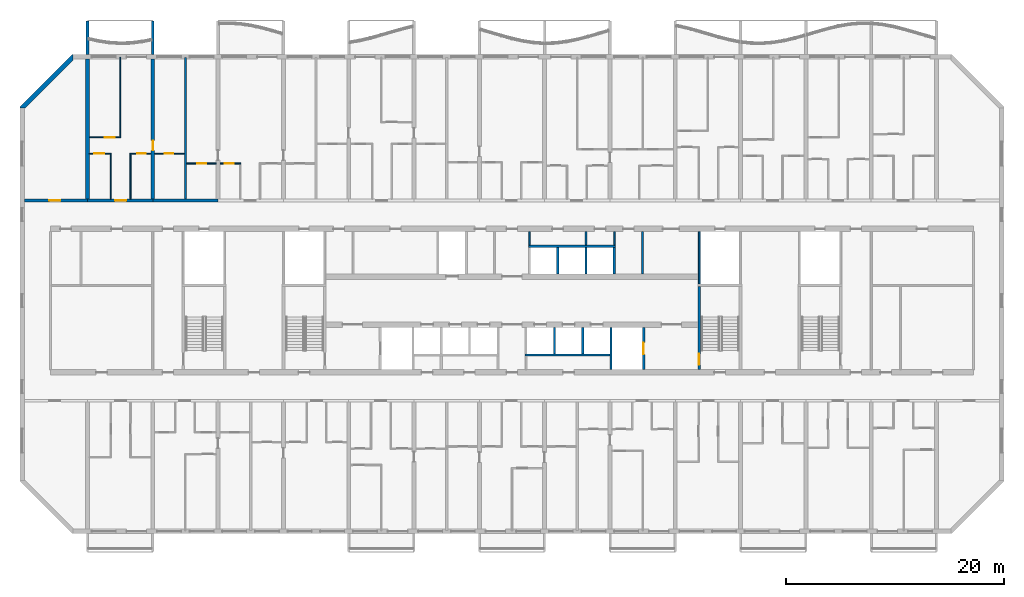
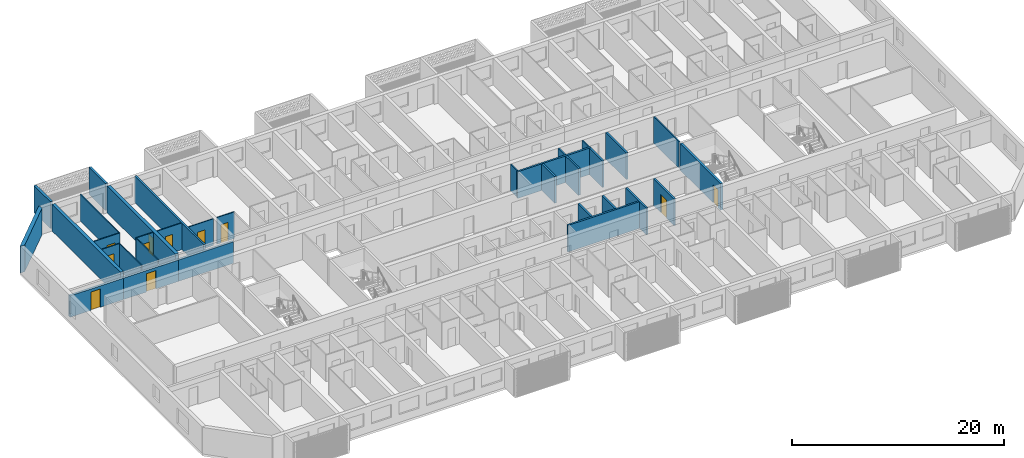
# One storey, part 9 of 26: 33 walls, 11 doors, 11 openings.
"""IFC4 building model written with IfcOpenShell, lengths in metres."""

import ifcopenshell
import ifcopenshell.guid

model = None  # the IFC model being written
_history = None  # IfcOwnerHistory: only IFC2X3 demands one
_inside = {}  # id of a spatial element -> (the spatial element, [elements in it])
_under = {}  # id of a project, library or spatial element -> (it, [spatial elements below it])
_declared = {}  # id of a project -> (the project, [libraries it declares])
_typed = {}  # id of a type object -> (the type object, [elements of that type])
_made_of = {}  # id of a material, layer set ... -> (it, [elements and type objects made of it])


def new_model(schema):
    """Start an empty IFC model of exactly this schema.

    Asked for "IFC4X3", IfcOpenShell would pick the latest addendum, in which some entities
    have other attributes; the version numbers below select the first issue.
    IFC2X3 requires an IfcOwnerHistory on every rooted entity: one is made here for all.
    """
    global model, _history
    if schema == "IFC4X3":
        model = ifcopenshell.file(schema_version=(4, 3, 0, 0))
    else:
        model = ifcopenshell.file(schema=schema)
    _inside.clear()
    _under.clear()
    _declared.clear()
    _typed.clear()
    _made_of.clear()
    _history = None
    if model.schema == "IFC2X3":
        org = make("IfcOrganization", Name="unknown")
        user = make(
            "IfcPersonAndOrganization",
            ThePerson=make("IfcPerson", FamilyName="unknown"),
            TheOrganization=org,
        )
        app = make(
            "IfcApplication",
            ApplicationDeveloper=org,
            Version="unknown",
            ApplicationFullName="unknown",
            ApplicationIdentifier="unknown",
        )
        _history = make(
            "IfcOwnerHistory",
            OwningUser=user,
            OwningApplication=app,
            ChangeAction="ADDED",
            CreationDate=0,
        )
    return model


def make(cls, **values):
    """One entity of the class cls with the attributes given. An attribute that is None is left unset."""
    return model.create_entity(
        cls, **{name: value for name, value in values.items() if value is not None}
    )


def rooted(cls, **values):
    """An entity with a GlobalId (a new one), such as an element, a storey or a relation."""
    return make(cls, GlobalId=ifcopenshell.guid.new(), OwnerHistory=_history, **values)


def si_unit(unit_type, name, prefix=None):
    """IfcSIUnit, for example si_unit("LENGTHUNIT", "METRE", prefix="MILLI")."""
    return make("IfcSIUnit", UnitType=unit_type, Prefix=prefix, Name=name)


def assignment(units):
    """IfcUnitAssignment: the units of a project."""
    return None if units is None else make("IfcUnitAssignment", Units=units)


def point(xyz):
    """IfcCartesianPoint."""
    return None if xyz is None else make("IfcCartesianPoint", Coordinates=xyz)


def direction(xyz):
    """IfcDirection."""
    return None if xyz is None else make("IfcDirection", DirectionRatios=xyz)


def frame(location, z_axis=None, x_axis=None):
    """IfcAxis2Placement3D, a coordinate frame: its origin and axes. An axis left out is left unset."""
    return make(
        "IfcAxis2Placement3D",
        Location=point(location),
        Axis=direction(z_axis),
        RefDirection=direction(x_axis),
    )


def frame_2d(location, x_axis=None):
    """IfcAxis2Placement2D, a coordinate frame in the plane: its origin and x axis."""
    return make(
        "IfcAxis2Placement2D", Location=point(location), RefDirection=direction(x_axis)
    )


def origin():
    """The frame at (0, 0, 0) with its axes left unset."""
    return frame((0.0, 0.0, 0.0))


def place(relative_to, where):
    """IfcLocalPlacement: puts the frame where relative to a parent placement (None: the world)."""
    return make(
        "IfcLocalPlacement", PlacementRelTo=relative_to, RelativePlacement=where
    )


def context(
    kind, dimensions, precision=None, world=None, true_north=None, identifier=None
):
    """IfcGeometricRepresentationContext, for example the 3D "Model" context."""
    return make(
        "IfcGeometricRepresentationContext",
        ContextIdentifier=identifier,
        ContextType=kind,
        CoordinateSpaceDimension=dimensions,
        Precision=precision,
        WorldCoordinateSystem=world,
        TrueNorth=true_north,
    )


def subcontext(parent, identifier, kind, view, scale=None):
    """IfcGeometricRepresentationSubContext, for example "Body" below "Model"."""
    return make(
        "IfcGeometricRepresentationSubContext",
        ContextIdentifier=identifier,
        ContextType=kind,
        ParentContext=parent,
        TargetScale=scale,
        TargetView=view,
    )


def project(units=None, contexts=None):
    """IfcProject with its units and contexts."""
    return rooted(
        "IfcProject",
        Name="project",
        RepresentationContexts=contexts,
        UnitsInContext=assignment(units),
    )


def spatial(cls, under=None, at=None, **own):
    """A site, building, storey or space (cls), placed at a placement, below another one or the project."""
    s = rooted(cls, ObjectPlacement=at, **own)
    if under is not None:
        _under.setdefault(under.id(), (under, []))[1].append(s)
    return s


def polyline(points):
    """IfcPolyline through the points."""
    return make("IfcPolyline", Points=[point(p) for p in points])


def profile(cls, at=None, kind="AREA", **sizes):
    """A parametric profile (cls). Its sizes go by their IFC names, for example OverallWidth=200.0."""
    return make(cls, ProfileType=kind, Position=at, **sizes)


def rectangle(**sizes):
    """IfcRectangleProfileDef."""
    return profile("IfcRectangleProfileDef", **sizes)


def outline(outer, holes=None, kind="AREA"):
    """IfcArbitraryClosedProfileDef: a profile drawn as a closed curve; with holes, ...WithVoids."""
    if holes is None:
        return make("IfcArbitraryClosedProfileDef", ProfileType=kind, OuterCurve=outer)
    return make(
        "IfcArbitraryProfileDefWithVoids",
        ProfileType=kind,
        OuterCurve=outer,
        InnerCurves=holes,
    )


def extrude(swept, where, along, depth):
    """IfcExtrudedAreaSolid: the profile swept, set in the frame where, extruded along a direction by depth."""
    return make(
        "IfcExtrudedAreaSolid",
        SweptArea=swept,
        Position=where,
        ExtrudedDirection=direction(along),
        Depth=depth,
    )


def shape(context_of_items, identifier, shape_type, items):
    """IfcShapeRepresentation: the items that make up one representation, for example the "Body"."""
    return make(
        "IfcShapeRepresentation",
        ContextOfItems=context_of_items,
        RepresentationIdentifier=identifier,
        RepresentationType=shape_type,
        Items=items,
    )


def source(mapping_origin, context_of_items, identifier, shape_type, items):
    """IfcRepresentationMap: a shape defined once, which mapped items show again and again."""
    return make(
        "IfcRepresentationMap",
        MappingOrigin=mapping_origin,
        MappedRepresentation=shape(context_of_items, identifier, shape_type, items),
    )


def transform(
    local_origin,
    x_axis=None,
    y_axis=None,
    z_axis=None,
    scale=None,
    scale2=None,
    scale3=None,
    uniform=True,
):
    """IfcCartesianTransformationOperator3D, or its non-uniform kind. x_axis, y_axis, z_axis: its Axis1, 2, 3."""
    if uniform:
        return make(
            "IfcCartesianTransformationOperator3D",
            Axis1=direction(x_axis),
            Axis2=direction(y_axis),
            LocalOrigin=point(local_origin),
            Scale=scale,
            Axis3=direction(z_axis),
        )
    return make(
        "IfcCartesianTransformationOperator3DnonUniform",
        Axis1=direction(x_axis),
        Axis2=direction(y_axis),
        LocalOrigin=point(local_origin),
        Scale=scale,
        Axis3=direction(z_axis),
        Scale2=scale2,
        Scale3=scale3,
    )


def mapped(mapping_source, mapping_target):
    """IfcMappedItem: shows the shape of a source again, moved by a transform."""
    return make(
        "IfcMappedItem", MappingSource=mapping_source, MappingTarget=mapping_target
    )


def material(Name=None, Category=None):
    """IfcMaterial."""
    return make("IfcMaterial", Name=Name, Category=Category)


def layer(
    of_material, thickness, ventilated=None, Name=None, Category=None, Priority=None
):
    """IfcMaterialLayer: one layer of a wall or slab, of a material (None: an air gap)."""
    return make(
        "IfcMaterialLayer",
        Material=of_material,
        LayerThickness=thickness,
        IsVentilated=ventilated,
        Name=Name,
        Category=Category,
        Priority=Priority,
    )


def layer_set(layers, Name=None):
    """IfcMaterialLayerSet."""
    return make("IfcMaterialLayerSet", MaterialLayers=layers, LayerSetName=Name)


def made_of(thing, what):
    """Note that an element or type object is made of a material, layer set ...; save() writes the relation."""
    if what is not None:
        _made_of.setdefault(what.id(), (what, []))[1].append(thing)
    return thing


def type_object(cls, material=None, **own):
    """A type object (cls), such as IfcWallType, which elements share."""
    return made_of(rooted(cls, **own), material)


def element(
    cls,
    number,
    at=None,
    inside=None,
    cuts=None,
    type_object=None,
    material=None,
    context=None,
    identifier="Body",
    shape_type=None,
    held_by="IfcProductDefinitionShape",
    body=None,
    shapes=None,
    **own,
):
    """One element of the class cls, such as IfcWall. Its Tag is "e" and its number.

    at: its placement. inside: the storey or other place that contains it. cuts: it is an
    opening in that element (IfcRelVoidsElement). A single representation is given by context,
    identifier, shape_type and body (its items); several are given by shapes. held_by: the class
    of the entity that holds the representations. save() writes the other relations.
    """
    e = rooted(cls, Tag="e%d" % number, ObjectPlacement=at, **own)
    if body is not None:
        shapes = [shape(context, identifier, shape_type, body)]
    if shapes is not None:
        e.Representation = make(held_by, Representations=shapes)
    if inside is not None:
        _inside.setdefault(inside.id(), (inside, []))[1].append(e)
    if cuts is not None:
        rooted(
            "IfcRelVoidsElement", RelatingBuildingElement=cuts, RelatedOpeningElement=e
        )
    if type_object is not None:
        _typed.setdefault(type_object.id(), (type_object, []))[1].append(e)
    return made_of(e, material)


def fill(opening, filler):
    """IfcRelFillsElement: the door or window that sits in an opening."""
    return rooted(
        "IfcRelFillsElement",
        RelatingOpeningElement=opening,
        RelatedBuildingElement=filler,
    )


def aggregate(whole, parts):
    """IfcRelAggregates: a whole, such as a stair, and the parts it consists of."""
    return rooted("IfcRelAggregates", RelatingObject=whole, RelatedObjects=parts)


def save(model, path):
    """Write the relations noted so far, then the file.

    IfcRelAggregates (storeys below a building ...), IfcRelContainedInSpatialStructure (elements
    in a storey), IfcRelDefinesByType, IfcRelAssociatesMaterial and IfcRelDeclares: one each for
    every whole, place, type object, material and project.
    """
    for whole, parts in _under.values():
        aggregate(whole, parts)
    for where, things in _inside.values():
        rooted(
            "IfcRelContainedInSpatialStructure",
            RelatedElements=things,
            RelatingStructure=where,
        )
    for kind, things in _typed.values():
        rooted("IfcRelDefinesByType", RelatedObjects=things, RelatingType=kind)
    for what, things in _made_of.values():
        rooted("IfcRelAssociatesMaterial", RelatedObjects=things, RelatingMaterial=what)
    for by, libraries in _declared.values():
        rooted("IfcRelDeclares", RelatingContext=by, RelatedDefinitions=libraries)
    model.write(path)


model = new_model("IFC4")

# Units and contexts
model_context = context("Model", 3, precision=1e-05, world=origin(), true_north=direction((0.0, 1.0)))
body_context = subcontext(model_context, "Body", "Model", "MODEL_VIEW")
ifc_project = project(units=[si_unit("LENGTHUNIT", "METRE"), si_unit("AREAUNIT", "SQUARE_METRE"), si_unit("VOLUMEUNIT", "CUBIC_METRE"), si_unit("PLANEANGLEUNIT", "RADIAN"), si_unit("MASSUNIT", "GRAM", prefix="KILO")], contexts=[model_context])

# Site, building, storey
site_placement = place(None, origin())
site = spatial("IfcSite", under=ifc_project, at=site_placement, CompositionType="ELEMENT")
building_placement = place(site_placement, origin())
building = spatial("IfcBuilding", under=site, at=building_placement, Name="Poui Terraces", CompositionType="ELEMENT")
storey_placement = place(building_placement, frame((0.0, 0.0, 96.0)))
storey = spatial("IfcBuildingStorey", under=building, at=storey_placement, Name="L26", CompositionType="ELEMENT", Elevation=96.0)

# Wall
ifc_material_1 = material(Name="Fire-rated plasterboard wall")
ifc_layer_1 = layer(ifc_material_1, 0.14990234375)
ifc_layer_set_1 = layer_set([ifc_layer_1], Name="Fire-rated plasterboard wall")
wall_type_1 = type_object("IfcWallType", Name="CORRIDOR WALL 150", PredefinedType="PARTITIONING", material=ifc_layer_set_1)
wall_1_placement = place(storey_placement, frame((52.60009765625, 26.300048828125, 0.0), z_axis=(0.0, 0.0, 1.0), x_axis=(0.0, 1.0, 0.0)))
element("IfcWall", 1, at=wall_1_placement, inside=storey, type_object=wall_type_1, Name="CORRIDOR WALL 150", PredefinedType="PARTITIONING", context=body_context, shape_type="SweptSolid", body=[
    extrude(rectangle(XDim=1.239990234375, YDim=0.14990234375, at=frame_2d((0.6201171875, 0.0))), origin(), (0.0, 0.0, 1.0), 3.06005859375),
])

# Wall, opening, door
ifc_material_2 = material(Name="Concrete 65 MPa", Category="concrete")
ifc_layer_2 = layer(ifc_material_2, 0.25)
ifc_layer_set_2 = layer_set([ifc_layer_2], Name="Concrete 65 MPa")
wall_type_2 = type_object("IfcWallType", Name="CORRIDOR WALL 250 65MPa", PredefinedType="SHEAR", material=ifc_layer_set_2)
wall_2_placement = place(storey_placement, frame((6.199951171875, 30.39990234375, 0.0), z_axis=(0.0, 0.0, 1.0), x_axis=(1.0, 0.0, 0.0)))
wall_2 = element("IfcWall", 2, at=wall_2_placement, inside=storey, type_object=wall_type_2, Name="CORRIDOR WALL LINE E BAY 1", PredefinedType="SHEAR", context=body_context, shape_type="SweptSolid", body=[
    extrude(rectangle(XDim=5.800048828125, YDim=0.25, at=frame_2d((2.89990234375, 0.0))), origin(), (0.0, 0.0, 1.0), 2.4599609375),
])
opening_1_placement = place(wall_2_placement, frame((2.300048828125, 0.0, 0.0)))
opening_1 = element("IfcOpeningElement", 3, at=opening_1_placement, cuts=wall_2, Name="Opening D100", PredefinedType="OPENING", context=body_context, shape_type="SweptSolid", body=[
    extrude(rectangle(XDim=1.0, YDim=2.10009765625, at=frame_2d((0.5, 1.050048828125))), frame((0.0, 0.135009765625, 0.0), z_axis=(0.0, -1.0, 0.0), x_axis=(1.0, 0.0, 0.0)), (0.0, 0.0, 1.0), 0.27001953125),
])
ifc_material_3 = material(Name="Solid core timber door", Category="wood")
door_type_1 = type_object("IfcDoorType", Name="ACCESSIBLE INTERNAL DOOR 1000 X 2100", OperationType="NOTDEFINED", PredefinedType="DOOR", material=ifc_material_3)
door_1_placement = place(opening_1_placement, origin())
door_1 = element("IfcDoor", 4, at=door_1_placement, inside=storey, type_object=door_type_1, Name="ACCESSIBLE INTERNAL DOOR 031", OperationType="SINGLE_SWING_LEFT", OverallHeight=2.10009765625, OverallWidth=1.0, PredefinedType="DOOR", context=body_context, shape_type="SweptSolid", body=[
    extrude(rectangle(XDim=1.0, YDim=2.10009765625, at=frame_2d((0.5, 1.050048828125))), frame((0.0, 0.02490234375, 0.0), z_axis=(0.0, -1.0, 0.0), x_axis=(1.0, 0.0, 0.0)), (0.0, 0.0, 1.0), 0.050048828125),
])
fill(opening_1, door_1)

wall_3_placement = place(storey_placement, frame((12.0, 30.39990234375, 0.0), z_axis=(0.0, 0.0, 1.0), x_axis=(1.0, 0.0, 0.0)))
wall_3 = element("IfcWall", 5, at=wall_3_placement, inside=storey, type_object=wall_type_2, Name="CORRIDOR WALL LINE E BAY 2", PredefinedType="SHEAR", context=body_context, shape_type="SweptSolid", body=[
    extrude(rectangle(XDim=6.0, YDim=0.25, at=frame_2d((3.0, 0.0))), origin(), (0.0, 0.0, 1.0), 2.4599609375),
])
opening_2_placement = place(wall_3_placement, frame((2.550048828125, 0.0, 0.0)))
opening_2 = element("IfcOpeningElement", 6, at=opening_2_placement, cuts=wall_3, Name="Opening FD30S", PredefinedType="OPENING", context=body_context, shape_type="SweptSolid", body=[
    extrude(rectangle(XDim=1.0, YDim=2.10009765625, at=frame_2d((0.5, 1.050048828125))), frame((0.0, 0.135009765625, 0.0), z_axis=(0.0, -1.0, 0.0), x_axis=(1.0, 0.0, 0.0)), (0.0, 0.0, 1.0), 0.27001953125),
])
ifc_material_4 = material(Name="Steel fire door", Category="steel")
door_type_2 = type_object("IfcDoorType", Name="FLAT ENTRANCE DOOR 1000 X 2100", OperationType="NOTDEFINED", PredefinedType="DOOR", material=ifc_material_4)
door_2_placement = place(opening_2_placement, origin())
door_2 = element("IfcDoor", 7, at=door_2_placement, inside=storey, type_object=door_type_2, Name="FLAT ENTRANCE DOOR 035", OperationType="SINGLE_SWING_RIGHT", OverallHeight=2.10009765625, OverallWidth=1.0, PredefinedType="DOOR", context=body_context, shape_type="SweptSolid", body=[
    extrude(rectangle(XDim=1.0, YDim=2.10009765625, at=frame_2d((0.5, 1.050048828125))), frame((0.0, 0.02490234375, 0.0), z_axis=(0.0, -1.0, 0.0), x_axis=(1.0, 0.0, 0.0)), (0.0, 0.0, 1.0), 0.050048828125),
])
fill(opening_2, door_2)

# Walls
wall_4_placement = place(storey_placement, frame((18.0, 30.39990234375, 0.0), z_axis=(0.0, 0.0, 1.0), x_axis=(1.0, 0.0, 0.0)))
element("IfcWall", 8, at=wall_4_placement, inside=storey, type_object=wall_type_2, Name="CORRIDOR WALL LINE E BAY 3", PredefinedType="SHEAR", context=body_context, shape_type="SweptSolid", body=[
    extrude(rectangle(XDim=6.0, YDim=0.25, at=frame_2d((3.0, 0.0))), origin(), (0.0, 0.0, 1.0), 2.4599609375),
])
ifc_layer_3 = layer(ifc_material_2, 0.35009765625)
ifc_layer_set_3 = layer_set([ifc_layer_3], Name="Concrete 65 MPa")
wall_type_3 = type_object("IfcWallType", Name="CROSS WALL 350 65MPa", PredefinedType="SHEAR", material=ifc_layer_set_3)
wall_5_placement = place(storey_placement, frame((12.0, 30.52490234375, 0.0), z_axis=(0.0, 0.0, 1.0), x_axis=(0.0, 1.0, 0.0)))
element("IfcWall", 9, at=wall_5_placement, inside=storey, type_object=wall_type_3, Name="CROSS WALL LINE 3 NORTH", PredefinedType="SHEAR", context=body_context, shape_type="SweptSolid", body=[
    extrude(rectangle(XDim=12.875, YDim=0.35009765625, at=frame_2d((6.4375, 0.0))), origin(), (0.0, 0.0, 1.0), 3.06005859375),
])

# Wall, opening, door
wall_6_placement = place(storey_placement, frame((18.0, 30.52490234375, 0.0), z_axis=(0.0, 0.0, 1.0), x_axis=(0.0, 1.0, 0.0)))
wall_6 = element("IfcWall", 10, at=wall_6_placement, inside=storey, type_object=wall_type_3, Name="CROSS WALL LINE 4 NORTH", PredefinedType="SHEAR", context=body_context, shape_type="SweptSolid", body=[
    extrude(rectangle(XDim=12.875, YDim=0.35009765625, at=frame_2d((6.4375, 0.0))), origin(), (0.0, 0.0, 1.0), 3.06005859375),
])
opening_3_placement = place(wall_6_placement, frame((4.47509765625, 0.0, 0.0)))
opening_3 = element("IfcOpeningElement", 11, at=opening_3_placement, cuts=wall_6, Name="Opening D90", PredefinedType="OPENING", context=body_context, shape_type="SweptSolid", body=[
    extrude(rectangle(XDim=0.89990234375, YDim=2.10009765625, at=frame_2d((0.449951171875, 1.050048828125))), frame((0.0, 0.18505859375, 0.0), z_axis=(0.0, -1.0, 0.0), x_axis=(1.0, 0.0, 0.0)), (0.0, 0.0, 1.0), 0.3701171875),
])
door_type_3 = type_object("IfcDoorType", Name="INTERNAL DOOR 900 X 2100", OperationType="NOTDEFINED", PredefinedType="DOOR", material=ifc_material_3)
door_3_placement = place(opening_3_placement, frame((0.89990234375, 0.0, 0.0), z_axis=(0.0, 0.0, 1.0), x_axis=(-1.0, 0.0, 0.0)))
door_3 = element("IfcDoor", 12, at=door_3_placement, inside=storey, type_object=door_type_3, Name="INTERNAL DOOR 037", OperationType="SINGLE_SWING_RIGHT", OverallHeight=2.10009765625, OverallWidth=0.89990234375, PredefinedType="DOOR", context=body_context, shape_type="SweptSolid", body=[
    extrude(rectangle(XDim=0.89990234375, YDim=2.10009765625, at=frame_2d((0.449951171875, 1.050048828125))), frame((0.0, 0.02490234375, 0.0), z_axis=(0.0, -1.0, 0.0), x_axis=(1.0, 0.0, 0.0)), (0.0, 0.0, 1.0), 0.050048828125),
])
fill(opening_3, door_3)

ifc_material_5 = material(Name="Plasterboard partition")
ifc_layer_4 = layer(ifc_material_5, 0.10009765625)
ifc_layer_set_4 = layer_set([ifc_layer_4], Name="Plasterboard partition")
wall_type_4 = type_object("IfcWallType", Name="FLAT PARTITION 100", PredefinedType="PARTITIONING", material=ifc_layer_set_4)
wall_7_placement = place(storey_placement, frame((21.10009765625, 33.800048828125, 0.0), z_axis=(0.0, 0.0, 1.0), x_axis=(1.0, 0.0, 0.0)))
wall_7 = element("IfcWall", 13, at=wall_7_placement, inside=storey, type_object=wall_type_4, Name="FLAT PARTITION 100", PredefinedType="PARTITIONING", context=body_context, shape_type="SweptSolid", body=[
    extrude(rectangle(XDim=2.71484375, YDim=0.10009765625, at=frame_2d((1.357421875, 0.0))), origin(), (0.0, 0.0, 1.0), 3.06005859375),
])
opening_4_placement = place(wall_7_placement, frame((1.0, 0.0, 0.0)))
opening_4 = element("IfcOpeningElement", 14, at=opening_4_placement, cuts=wall_7, Name="Opening D80", PredefinedType="OPENING", context=body_context, shape_type="SweptSolid", body=[
    extrude(rectangle(XDim=0.800048828125, YDim=2.10009765625, at=frame_2d((0.39990234375, 1.050048828125))), frame((0.0, 0.06005859375, 0.0), z_axis=(0.0, -1.0, 0.0), x_axis=(1.0, 0.0, 0.0)), (0.0, 0.0, 1.0), 0.1201171875),
])
door_type_4 = type_object("IfcDoorType", Name="BATHROOM, LAUNDRY AND STORE DOOR 800 X 2100", OperationType="NOTDEFINED", PredefinedType="DOOR", material=ifc_material_3)
door_4_placement = place(opening_4_placement, frame((0.800048828125, 0.0, 0.0), z_axis=(0.0, 0.0, 1.0), x_axis=(-1.0, 0.0, 0.0)))
door_4 = element("IfcDoor", 15, at=door_4_placement, inside=storey, type_object=door_type_4, Name="BATHROOM, LAUNDRY AND STORE DOOR 038", OperationType="SINGLE_SWING_RIGHT", OverallHeight=2.10009765625, OverallWidth=0.800048828125, PredefinedType="DOOR", context=body_context, shape_type="SweptSolid", body=[
    extrude(rectangle(XDim=0.800048828125, YDim=2.10009765625, at=frame_2d((0.39990234375, 1.050048828125))), frame((0.0, 0.02490234375, 0.0), z_axis=(0.0, -1.0, 0.0), x_axis=(1.0, 0.0, 0.0)), (0.0, 0.0, 1.0), 0.050048828125),
])
fill(opening_4, door_4)

wall_8_placement = place(storey_placement, frame((24.18505859375, 33.800048828125, 0.0), z_axis=(0.0, 0.0, 1.0), x_axis=(1.0, 0.0, 0.0)))
wall_8 = element("IfcWall", 16, at=wall_8_placement, inside=storey, type_object=wall_type_4, Name="FLAT PARTITION 100", PredefinedType="PARTITIONING", context=body_context, shape_type="SweptSolid", body=[
    extrude(rectangle(XDim=1.9150390625, YDim=0.10009765625, at=frame_2d((0.95751953125, 0.0))), origin(), (0.0, 0.0, 1.0), 3.06005859375),
])
opening_5_placement = place(wall_8_placement, frame((0.43994140625, 0.0, 0.0)))
opening_5 = element("IfcOpeningElement", 17, at=opening_5_placement, cuts=wall_8, Name="Opening D80", PredefinedType="OPENING", context=body_context, shape_type="SweptSolid", body=[
    extrude(rectangle(XDim=0.800048828125, YDim=2.10009765625, at=frame_2d((0.39990234375, 1.050048828125))), frame((0.0, 0.06005859375, 0.0), z_axis=(0.0, -1.0, 0.0), x_axis=(1.0, 0.0, 0.0)), (0.0, 0.0, 1.0), 0.1201171875),
])
door_5_placement = place(opening_5_placement, frame((0.800048828125, 0.0, 0.0), z_axis=(0.0, 0.0, 1.0), x_axis=(-1.0, 0.0, 0.0)))
door_5 = element("IfcDoor", 18, at=door_5_placement, inside=storey, type_object=door_type_4, Name="BATHROOM, LAUNDRY AND STORE DOOR 041", OperationType="SINGLE_SWING_LEFT", OverallHeight=2.10009765625, OverallWidth=0.800048828125, PredefinedType="DOOR", context=body_context, shape_type="SweptSolid", body=[
    extrude(rectangle(XDim=0.800048828125, YDim=2.10009765625, at=frame_2d((0.39990234375, 1.050048828125))), frame((0.0, 0.02490234375, 0.0), z_axis=(0.0, -1.0, 0.0), x_axis=(1.0, 0.0, 0.0)), (0.0, 0.0, 1.0), 0.050048828125),
])
fill(opening_5, door_5)

wall_9_placement = place(storey_placement, frame((12.18505859375, 34.699951171875, 0.0), z_axis=(0.0, 0.0, 1.0), x_axis=(1.0, 0.0, 0.0)))
wall_9 = element("IfcWall", 19, at=wall_9_placement, inside=storey, type_object=wall_type_4, Name="FLAT PARTITION 100", PredefinedType="PARTITIONING", context=body_context, shape_type="SweptSolid", body=[
    extrude(rectangle(XDim=2.014892578125, YDim=0.10009765625, at=frame_2d((1.00732421875, 0.0))), origin(), (0.0, 0.0, 1.0), 3.06005859375),
])
opening_6_placement = place(wall_9_placement, frame((0.43994140625, 0.0, 0.0)))
opening_6 = element("IfcOpeningElement", 20, at=opening_6_placement, cuts=wall_9, Name="Opening D90", PredefinedType="OPENING", context=body_context, shape_type="SweptSolid", body=[
    extrude(rectangle(XDim=0.89990234375, YDim=2.10009765625, at=frame_2d((0.449951171875, 1.050048828125))), frame((0.0, 0.06005859375, 0.0), z_axis=(0.0, -1.0, 0.0), x_axis=(1.0, 0.0, 0.0)), (0.0, 0.0, 1.0), 0.1201171875),
])
door_6_placement = place(opening_6_placement, frame((0.89990234375, 0.0, 0.0), z_axis=(0.0, 0.0, 1.0), x_axis=(-1.0, 0.0, 0.0)))
door_6 = element("IfcDoor", 21, at=door_6_placement, inside=storey, type_object=door_type_3, Name="INTERNAL DOOR 033", OperationType="SINGLE_SWING_LEFT", OverallHeight=2.10009765625, OverallWidth=0.89990234375, PredefinedType="DOOR", context=body_context, shape_type="SweptSolid", body=[
    extrude(rectangle(XDim=0.89990234375, YDim=2.10009765625, at=frame_2d((0.449951171875, 1.050048828125))), frame((0.0, 0.02490234375, 0.0), z_axis=(0.0, -1.0, 0.0), x_axis=(1.0, 0.0, 0.0)), (0.0, 0.0, 1.0), 0.050048828125),
])
fill(opening_6, door_6)

wall_10_placement = place(storey_placement, frame((15.89990234375, 34.699951171875, 0.0), z_axis=(0.0, 0.0, 1.0), x_axis=(1.0, 0.0, 0.0)))
wall_10 = element("IfcWall", 22, at=wall_10_placement, inside=storey, type_object=wall_type_4, Name="FLAT PARTITION 100", PredefinedType="PARTITIONING", context=body_context, shape_type="SweptSolid", body=[
    extrude(rectangle(XDim=1.9150390625, YDim=0.10009765625, at=frame_2d((0.95751953125, 0.0))), origin(), (0.0, 0.0, 1.0), 3.06005859375),
])
opening_7_placement = place(wall_10_placement, frame((0.675048828125, 0.0, 0.0)))
opening_7 = element("IfcOpeningElement", 23, at=opening_7_placement, cuts=wall_10, Name="Opening D80", PredefinedType="OPENING", context=body_context, shape_type="SweptSolid", body=[
    extrude(rectangle(XDim=0.800048828125, YDim=2.10009765625, at=frame_2d((0.39990234375, 1.050048828125))), frame((0.0, 0.06005859375, 0.0), z_axis=(0.0, -1.0, 0.0), x_axis=(1.0, 0.0, 0.0)), (0.0, 0.0, 1.0), 0.1201171875),
])
door_7_placement = place(opening_7_placement, frame((0.800048828125, 0.0, 0.0), z_axis=(0.0, 0.0, 1.0), x_axis=(-1.0, 0.0, 0.0)))
door_7 = element("IfcDoor", 24, at=door_7_placement, inside=storey, type_object=door_type_4, Name="BATHROOM, LAUNDRY AND STORE DOOR 036", OperationType="SINGLE_SWING_RIGHT", OverallHeight=2.10009765625, OverallWidth=0.800048828125, PredefinedType="DOOR", context=body_context, shape_type="SweptSolid", body=[
    extrude(rectangle(XDim=0.800048828125, YDim=2.10009765625, at=frame_2d((0.39990234375, 1.050048828125))), frame((0.0, 0.02490234375, 0.0), z_axis=(0.0, -1.0, 0.0), x_axis=(1.0, 0.0, 0.0)), (0.0, 0.0, 1.0), 0.050048828125),
])
fill(opening_7, door_7)

wall_11_placement = place(storey_placement, frame((18.18505859375, 34.699951171875, 0.0), z_axis=(0.0, 0.0, 1.0), x_axis=(1.0, 0.0, 0.0)))
wall_11 = element("IfcWall", 25, at=wall_11_placement, inside=storey, type_object=wall_type_4, Name="FLAT PARTITION 100", PredefinedType="PARTITIONING", context=body_context, shape_type="SweptSolid", body=[
    extrude(rectangle(XDim=2.71484375, YDim=0.10009765625, at=frame_2d((1.357421875, 0.0))), origin(), (0.0, 0.0, 1.0), 3.06005859375),
])
opening_8_placement = place(wall_11_placement, frame((0.9150390625, 0.0, 0.0)))
opening_8 = element("IfcOpeningElement", 26, at=opening_8_placement, cuts=wall_11, Name="Opening D80", PredefinedType="OPENING", context=body_context, shape_type="SweptSolid", body=[
    extrude(rectangle(XDim=0.800048828125, YDim=2.10009765625, at=frame_2d((0.39990234375, 1.050048828125))), frame((0.0, 0.06005859375, 0.0), z_axis=(0.0, -1.0, 0.0), x_axis=(1.0, 0.0, 0.0)), (0.0, 0.0, 1.0), 0.1201171875),
])
door_8_placement = place(opening_8_placement, frame((0.800048828125, 0.0, 0.0), z_axis=(0.0, 0.0, 1.0), x_axis=(-1.0, 0.0, 0.0)))
door_8 = element("IfcDoor", 27, at=door_8_placement, inside=storey, type_object=door_type_4, Name="BATHROOM, LAUNDRY AND STORE DOOR 032", OperationType="SINGLE_SWING_LEFT", OverallHeight=2.10009765625, OverallWidth=0.800048828125, PredefinedType="DOOR", context=body_context, shape_type="SweptSolid", body=[
    extrude(rectangle(XDim=0.800048828125, YDim=2.10009765625, at=frame_2d((0.39990234375, 1.050048828125))), frame((0.0, 0.02490234375, 0.0), z_axis=(0.0, -1.0, 0.0), x_axis=(1.0, 0.0, 0.0)), (0.0, 0.0, 1.0), 0.050048828125),
])
fill(opening_8, door_8)

wall_12_placement = place(storey_placement, frame((12.18505859375, 36.199951171875, 0.0), z_axis=(0.0, 0.0, 1.0), x_axis=(1.0, 0.0, 0.0)))
wall_12 = element("IfcWall", 28, at=wall_12_placement, inside=storey, type_object=wall_type_4, Name="FLAT PARTITION 100", PredefinedType="PARTITIONING", context=body_context, shape_type="SweptSolid", body=[
    extrude(rectangle(XDim=2.864990234375, YDim=0.10009765625, at=frame_2d((1.4326171875, 0.0))), origin(), (0.0, 0.0, 1.0), 3.06005859375),
])
opening_9_placement = place(wall_12_placement, frame((1.4150390625, 0.0, 0.0)))
opening_9 = element("IfcOpeningElement", 29, at=opening_9_placement, cuts=wall_12, Name="Opening D90", PredefinedType="OPENING", context=body_context, shape_type="SweptSolid", body=[
    extrude(rectangle(XDim=0.89990234375, YDim=2.10009765625, at=frame_2d((0.449951171875, 1.050048828125))), frame((0.0, 0.06005859375, 0.0), z_axis=(0.0, -1.0, 0.0), x_axis=(1.0, 0.0, 0.0)), (0.0, 0.0, 1.0), 0.1201171875),
])
door_9_placement = place(opening_9_placement, frame((0.89990234375, 0.0, 0.0), z_axis=(0.0, 0.0, 1.0), x_axis=(-1.0, 0.0, 0.0)))
door_9 = element("IfcDoor", 30, at=door_9_placement, inside=storey, type_object=door_type_3, Name="INTERNAL DOOR 034", OperationType="SINGLE_SWING_RIGHT", OverallHeight=2.10009765625, OverallWidth=0.89990234375, PredefinedType="DOOR", context=body_context, shape_type="SweptSolid", body=[
    extrude(rectangle(XDim=0.89990234375, YDim=2.10009765625, at=frame_2d((0.449951171875, 1.050048828125))), frame((0.0, 0.02490234375, 0.0), z_axis=(0.0, -1.0, 0.0), x_axis=(1.0, 0.0, 0.0)), (0.0, 0.0, 1.0), 0.050048828125),
])
fill(opening_9, door_9)

# Walls
wall_13_placement = place(storey_placement, frame((14.14990234375, 30.534912109375, 0.0), z_axis=(0.0, 0.0, 1.0), x_axis=(0.0, 1.0, 0.0)))
element("IfcWall", 31, at=wall_13_placement, inside=storey, type_object=wall_type_4, Name="FLAT PARTITION 100", PredefinedType="PARTITIONING", context=body_context, shape_type="SweptSolid", body=[
    extrude(rectangle(XDim=4.114990234375, YDim=0.10009765625, at=frame_2d((2.0576171875, 0.0))), origin(), (0.0, 0.0, 1.0), 3.06005859375),
])
wall_14_placement = place(storey_placement, frame((15.0, 36.25, 0.0), z_axis=(0.0, 0.0, 1.0), x_axis=(0.0, 1.0, 0.0)))
element("IfcWall", 32, at=wall_14_placement, inside=storey, type_object=wall_type_4, Name="FLAT PARTITION 100", PredefinedType="PARTITIONING", context=body_context, shape_type="SweptSolid", body=[
    extrude(rectangle(XDim=7.2900390625, YDim=0.10009765625, at=frame_2d((3.64501953125, 0.0))), origin(), (0.0, 0.0, 1.0), 3.06005859375),
])
wall_15_placement = place(storey_placement, frame((15.949951171875, 30.534912109375, 0.0), z_axis=(0.0, 0.0, 1.0), x_axis=(0.0, 1.0, 0.0)))
element("IfcWall", 33, at=wall_15_placement, inside=storey, type_object=wall_type_4, Name="FLAT PARTITION 100", PredefinedType="PARTITIONING", context=body_context, shape_type="SweptSolid", body=[
    extrude(rectangle(XDim=4.114990234375, YDim=0.10009765625, at=frame_2d((2.0576171875, 0.0))), origin(), (0.0, 0.0, 1.0), 3.06005859375),
])
ifc_material_6 = material(Name="Fire-rated masonry wall", Category="masonry")
ifc_layer_5 = layer(ifc_material_6, 0.199951171875)
ifc_layer_set_5 = layer_set([ifc_layer_5], Name="Fire-rated masonry wall")
wall_type_5 = type_object("IfcWallType", Name="FLAT PARTY WALL 200", PredefinedType="PARTITIONING", material=ifc_layer_set_5)
wall_16_placement = place(storey_placement, frame((21.0, 30.534912109375, 0.0), z_axis=(0.0, 0.0, 1.0), x_axis=(0.0, 1.0, 0.0)))
element("IfcWall", 34, at=wall_16_placement, inside=storey, type_object=wall_type_5, Name="FLAT PARTY WALL 200", PredefinedType="PARTITIONING", context=body_context, shape_type="SweptSolid", body=[
    extrude(rectangle(XDim=13.005126953125, YDim=0.199951171875, at=frame_2d((6.50244140625, 0.0))), origin(), (0.0, 0.0, 1.0), 3.06005859375),
])
ifc_layer_6 = layer(ifc_material_5, 0.14990234375)
ifc_layer_set_6 = layer_set([ifc_layer_6], Name="Plasterboard partition")
wall_type_6 = type_object("IfcWallType", Name="PARTITION WALL 150", PredefinedType="PARTITIONING", material=ifc_layer_set_6)
for number, where, z_axis, x_axis, name in (
    (35, (57.800048828125, 26.300048828125, 0.0), (0.0, 0.0, 1.0), (0.0, 1.0, 0.0), "PARTITION WALL 150"),
    (36, (60.39990234375, 26.300048828125, 0.0), (0.0, 0.0, 1.0), (0.0, 1.0, 0.0), "PARTITION WALL 150"),
):
    element("IfcWall", number, at=place(storey_placement, frame(where, z_axis=z_axis, x_axis=x_axis)), inside=storey, type_object=wall_type_6, Name=name, PredefinedType="PARTITIONING", context=body_context, shape_type="SweptSolid", body=[
        extrude(rectangle(XDim=1.239990234375, YDim=0.14990234375, at=frame_2d((0.6201171875, 0.0))), origin(), (0.0, 0.0, 1.0), 3.06005859375),
    ])
ifc_layer_7 = layer(ifc_material_6, 0.199951171875)
ifc_layer_set_7 = layer_set([ifc_layer_7], Name="Fire-rated masonry wall")
wall_type_7 = type_object("IfcWallType", Name="PLANT ROOM WALL 200", PredefinedType="PARTITIONING", material=ifc_layer_set_7)
wall_17_placement = place(storey_placement, frame((63.0, 23.659912109375, 0.0), z_axis=(0.0, 0.0, 1.0), x_axis=(0.0, 1.0, 0.0)))
element("IfcWall", 37, at=wall_17_placement, inside=storey, type_object=wall_type_7, Name="PLANT ROOM WALL 200", PredefinedType="PARTITIONING", context=body_context, shape_type="SweptSolid", body=[
    extrude(rectangle(XDim=3.880126953125, YDim=0.199951171875, at=frame_2d((1.93994140625, 0.0))), origin(), (0.0, 0.0, 1.0), 3.06005859375),
])
ifc_material_7 = material(Name="Fire-rated plasterboard riser wall")
ifc_layer_8 = layer(ifc_material_7, 0.14990234375)
ifc_layer_set_8 = layer_set([ifc_layer_8], Name="Fire-rated plasterboard riser wall")
wall_type_8 = type_object("IfcWallType", Name="RISER WALL 150", PredefinedType="PARTITIONING", material=ifc_layer_set_8)
wall_18_placement = place(storey_placement, frame((68.199951171875, 22.735107421875, 0.0), z_axis=(0.0, 0.0, 1.0), x_axis=(0.0, 1.0, 0.0)))
element("IfcWall", 38, at=wall_18_placement, inside=storey, type_object=wall_type_8, Name="RISER WALL 150", PredefinedType="PARTITIONING", context=body_context, shape_type="SweptSolid", body=[
    extrude(rectangle(XDim=4.804931640625, YDim=0.14990234375, at=frame_2d((2.40234375, 0.0))), origin(), (0.0, 0.0, 1.0), 3.06005859375),
])
ifc_material_8 = material(Name="Fire-rated masonry shaft wall", Category="masonry")
ifc_layer_9 = layer(ifc_material_8, 0.199951171875)
ifc_layer_set_9 = layer_set([ifc_layer_9], Name="Fire-rated masonry shaft wall")
wall_type_9 = type_object("IfcWallType", Name="SHAFT WALL 200", PredefinedType="PARTITIONING", material=ifc_layer_set_9)
wall_19_placement = place(storey_placement, frame((52.199951171875, 16.199951171875, 0.0), z_axis=(0.0, 0.0, 1.0), x_axis=(1.0, 0.0, 0.0)))
element("IfcWall", 39, at=wall_19_placement, inside=storey, type_object=wall_type_9, Name="SHAFT WALL 200", PredefinedType="PARTITIONING", context=body_context, shape_type="SweptSolid", body=[
    extrude(rectangle(XDim=7.800048828125, YDim=0.199951171875, at=frame_2d((3.89990234375, 0.0))), origin(), (0.0, 0.0, 1.0), 3.06005859375),
])
wall_20_placement = place(storey_placement, frame((52.5, 26.199951171875, 0.0), z_axis=(0.0, 0.0, 1.0), x_axis=(1.0, 0.0, 0.0)))
element("IfcWall", 40, at=wall_20_placement, inside=storey, type_object=wall_type_9, Name="SHAFT WALL 200", PredefinedType="PARTITIONING", context=body_context, shape_type="SweptSolid", body=[
    extrude(rectangle(XDim=8.0, YDim=0.199951171875, at=frame_2d((4.0, 0.0))), origin(), (0.0, 0.0, 1.0), 3.06005859375),
])
wall_21_placement = place(storey_placement, frame((54.89990234375, 16.300048828125, 0.0), z_axis=(0.0, 0.0, 1.0), x_axis=(0.0, 1.0, 0.0)))
element("IfcWall", 41, at=wall_21_placement, inside=storey, type_object=wall_type_9, Name="SHAFT WALL 200", PredefinedType="PARTITIONING", context=body_context, shape_type="SweptSolid", body=[
    extrude(rectangle(XDim=2.43994140625, YDim=0.199951171875, at=frame_2d((1.219970703125, 0.0))), origin(), (0.0, 0.0, 1.0), 3.06005859375),
])
wall_22_placement = place(storey_placement, frame((55.199951171875, 23.659912109375, 0.0), z_axis=(0.0, 0.0, 1.0), x_axis=(0.0, 1.0, 0.0)))
element("IfcWall", 42, at=wall_22_placement, inside=storey, type_object=wall_type_9, Name="SHAFT WALL 200", PredefinedType="PARTITIONING", context=body_context, shape_type="SweptSolid", body=[
    extrude(rectangle(XDim=2.440185546875, YDim=0.199951171875, at=frame_2d((1.22021484375, 0.0))), origin(), (0.0, 0.0, 1.0), 3.06005859375),
])
wall_23_placement = place(storey_placement, frame((57.5, 16.300048828125, 0.0), z_axis=(0.0, 0.0, 1.0), x_axis=(0.0, 1.0, 0.0)))
element("IfcWall", 43, at=wall_23_placement, inside=storey, type_object=wall_type_9, Name="SHAFT WALL 200", PredefinedType="PARTITIONING", context=body_context, shape_type="SweptSolid", body=[
    extrude(rectangle(XDim=2.43994140625, YDim=0.199951171875, at=frame_2d((1.219970703125, 0.0))), origin(), (0.0, 0.0, 1.0), 3.06005859375),
])
wall_24_placement = place(storey_placement, frame((57.800048828125, 23.659912109375, 0.0), z_axis=(0.0, 0.0, 1.0), x_axis=(0.0, 1.0, 0.0)))
element("IfcWall", 44, at=wall_24_placement, inside=storey, type_object=wall_type_9, Name="SHAFT WALL 200", PredefinedType="PARTITIONING", context=body_context, shape_type="SweptSolid", body=[
    extrude(rectangle(XDim=2.440185546875, YDim=0.199951171875, at=frame_2d((1.22021484375, 0.0))), origin(), (0.0, 0.0, 1.0), 3.06005859375),
])
wall_25_placement = place(storey_placement, frame((60.10009765625, 14.860107421875, 0.0), z_axis=(0.0, 0.0, 1.0), x_axis=(0.0, 1.0, 0.0)))
element("IfcWall", 45, at=wall_25_placement, inside=storey, type_object=wall_type_9, Name="SHAFT WALL 200", PredefinedType="PARTITIONING", context=body_context, shape_type="SweptSolid", body=[
    extrude(rectangle(XDim=3.8798828125, YDim=0.199951171875, at=frame_2d((1.93994140625, 0.0))), origin(), (0.0, 0.0, 1.0), 3.06005859375),
])
wall_26_placement = place(storey_placement, frame((60.39990234375, 23.659912109375, 0.0), z_axis=(0.0, 0.0, 1.0), x_axis=(0.0, 1.0, 0.0)))
element("IfcWall", 46, at=wall_26_placement, inside=storey, type_object=wall_type_9, Name="SHAFT WALL 200", PredefinedType="PARTITIONING", context=body_context, shape_type="SweptSolid", body=[
    extrude(rectangle(XDim=2.440185546875, YDim=0.199951171875, at=frame_2d((1.22021484375, 0.0))), origin(), (0.0, 0.0, 1.0), 3.06005859375),
])

# Wall, opening, door
wall_27_placement = place(storey_placement, frame((63.10009765625, 14.860107421875, 0.0), z_axis=(0.0, 0.0, 1.0), x_axis=(0.0, 1.0, 0.0)))
wall_27 = element("IfcWall", 47, at=wall_27_placement, inside=storey, type_object=wall_type_9, Name="SHAFT WALL 200", PredefinedType="PARTITIONING", context=body_context, shape_type="SweptSolid", body=[
    extrude(rectangle(XDim=3.8798828125, YDim=0.199951171875, at=frame_2d((1.93994140625, 0.0))), origin(), (0.0, 0.0, 1.0), 3.06005859375),
])
opening_10_placement = place(wall_27_placement, frame((1.389892578125, 0.0, 0.0)))
opening_10 = element("IfcOpeningElement", 48, at=opening_10_placement, cuts=wall_27, Name="Opening LD", PredefinedType="OPENING", context=body_context, shape_type="SweptSolid", body=[
    extrude(rectangle(XDim=1.10009765625, YDim=2.10009765625, at=frame_2d((0.550048828125, 1.050048828125))), frame((0.0, 0.10986328125, 0.0), z_axis=(0.0, -1.0, 0.0), x_axis=(1.0, 0.0, 0.0)), (0.0, 0.0, 1.0), 0.219970703125),
])
ifc_material_9 = material(Name="Stainless steel sliding door", Category="steel")
door_type_5 = type_object("IfcDoorType", Name="LIFT LANDING DOOR 1100 X 2100", OperationType="DOUBLE_DOOR_SLIDING", PredefinedType="DOOR", material=ifc_material_9)
door_10_placement = place(opening_10_placement, origin())
door_10 = element("IfcDoor", 49, at=door_10_placement, inside=storey, type_object=door_type_5, Name="LANDING DOOR", OperationType="DOUBLE_DOOR_SLIDING", OverallHeight=2.10009765625, OverallWidth=1.10009765625, PredefinedType="DOOR", context=body_context, shape_type="SweptSolid", body=[
    extrude(rectangle(XDim=1.10009765625, YDim=2.10009765625, at=frame_2d((0.550048828125, 1.050048828125))), frame((0.0, 0.02490234375, 0.0), z_axis=(0.0, -1.0, 0.0), x_axis=(1.0, 0.0, 0.0)), (0.0, 0.0, 1.0), 0.050048828125),
])
fill(opening_10, door_10)

ifc_layer_10 = layer(ifc_material_2, 0.25)
ifc_layer_set_10 = layer_set([ifc_layer_10], Name="Concrete 65 MPa")
wall_type_10 = type_object("IfcWallType", Name="STAIR CORE WALL 250 65 MPA", PredefinedType="SOLIDWALL", material=ifc_layer_set_10)
wall_28_placement = place(storey_placement, frame((68.199951171875, 14.85009765625, 0.0), z_axis=(0.0, 0.0, 1.0), x_axis=(0.0, 1.0, 0.0)))
wall_28 = element("IfcWall", 50, at=wall_28_placement, inside=storey, type_object=wall_type_10, Name="STAIR CORE WALL", PredefinedType="SOLIDWALL", context=body_context, shape_type="SweptSolid", body=[
    extrude(rectangle(XDim=7.625, YDim=0.25, at=frame_2d((3.8125, 0.0))), origin(), (0.0, 0.0, 1.0), 3.06005859375),
])
opening_11_placement = place(wall_28_placement, frame((0.449951171875, 0.0, 0.0)))
opening_11 = element("IfcOpeningElement", 51, at=opening_11_placement, cuts=wall_28, Name="Opening FD60S", PredefinedType="OPENING", context=body_context, shape_type="SweptSolid", body=[
    extrude(rectangle(XDim=1.0, YDim=2.10009765625, at=frame_2d((0.5, 1.050048828125))), frame((0.0, 0.135009765625, 0.0), z_axis=(0.0, -1.0, 0.0), x_axis=(1.0, 0.0, 0.0)), (0.0, 0.0, 1.0), 0.27001953125),
])
door_type_6 = type_object("IfcDoorType", Name="STAIR DOOR 1000 X 2100", OperationType="NOTDEFINED", PredefinedType="DOOR", material=ifc_material_4)
door_11_placement = place(opening_11_placement, frame((1.0, 0.0, 0.0), z_axis=(0.0, 0.0, 1.0), x_axis=(-1.0, 0.0, 0.0)))
door_11 = element("IfcDoor", 52, at=door_11_placement, inside=storey, type_object=door_type_6, Name="STAIR DOOR 133", OperationType="SINGLE_SWING_LEFT", OverallHeight=2.10009765625, OverallWidth=1.0, PredefinedType="DOOR", context=body_context, shape_type="SweptSolid", body=[
    extrude(rectangle(XDim=1.0, YDim=2.10009765625, at=frame_2d((0.5, 1.050048828125))), frame((0.0, 0.02490234375, 0.0), z_axis=(0.0, -1.0, 0.0), x_axis=(1.0, 0.0, 0.0)), (0.0, 0.0, 1.0), 0.050048828125),
])
fill(opening_11, door_11)

# Walls
ifc_material_10 = material(Name="Precast concrete 40 MPa", Category="concrete")
ifc_layer_11 = layer(ifc_material_10, 0.39990234375)
ifc_layer_set_11 = layer_set([ifc_layer_11], Name="Precast concrete 40 MPa")
wall_type_11 = type_object("IfcWallType", Name="TERRACOTTA CLAD CHAMFER WALL 400", PredefinedType="STANDARD", material=ifc_layer_set_11)
wall_29_placement = place(storey_placement, origin())
element("IfcWall", 53, at=wall_29_placement, inside=storey, type_object=wall_type_11, Name="CHAMFER WALL CH05", PredefinedType="STANDARD", context=body_context, shape_type="SweptSolid", body=[
    extrude(outline(polyline([(10.682861328125, 43.800048828125), (10.60009765625, 43.800048828125), (5.800048828125, 39.0), (5.800048828125, 38.917236328125), (6.28271484375, 38.917236328125), (10.682861328125, 43.317138671875), (10.682861328125, 43.800048828125)])), origin(), (0.0, 0.0, 1.0), 3.06005859375),
])
ifc_layer_12 = layer(ifc_material_10, 0.25)
ifc_layer_set_12 = layer_set([ifc_layer_12], Name="Precast concrete 40 MPa")
wall_type_12 = type_object("IfcWallType", Name="BALCONY FIN 250", PredefinedType="STANDARD", material=ifc_layer_set_12)
shared_shape = source(origin(), body_context, "Body", "SweptSolid", [
    extrude(outline(polyline([(0.0, 0.0), (0.25, 0.0), (0.25, 3.099853515625), (0.0, 3.099853515625), (0.0, 0.0)])), origin(), (0.0, 0.0, 1.0), 3.10009765625),
])
for number, where, name in (
    (54, (11.875, 43.800048828125, 0.0), "BALCONY FIN"),
    (55, (17.875, 43.800048828125, 0.0), "BALCONY FIN"),
):
    element("IfcWall", number, at=place(storey_placement, frame(where)), inside=storey, type_object=wall_type_12, Name=name, PredefinedType="STANDARD", context=body_context, shape_type="MappedRepresentation", body=[
        mapped(shared_shape, transform((0.0, 0.0, 0.0))),
    ])

save(model, "model.ifc")
